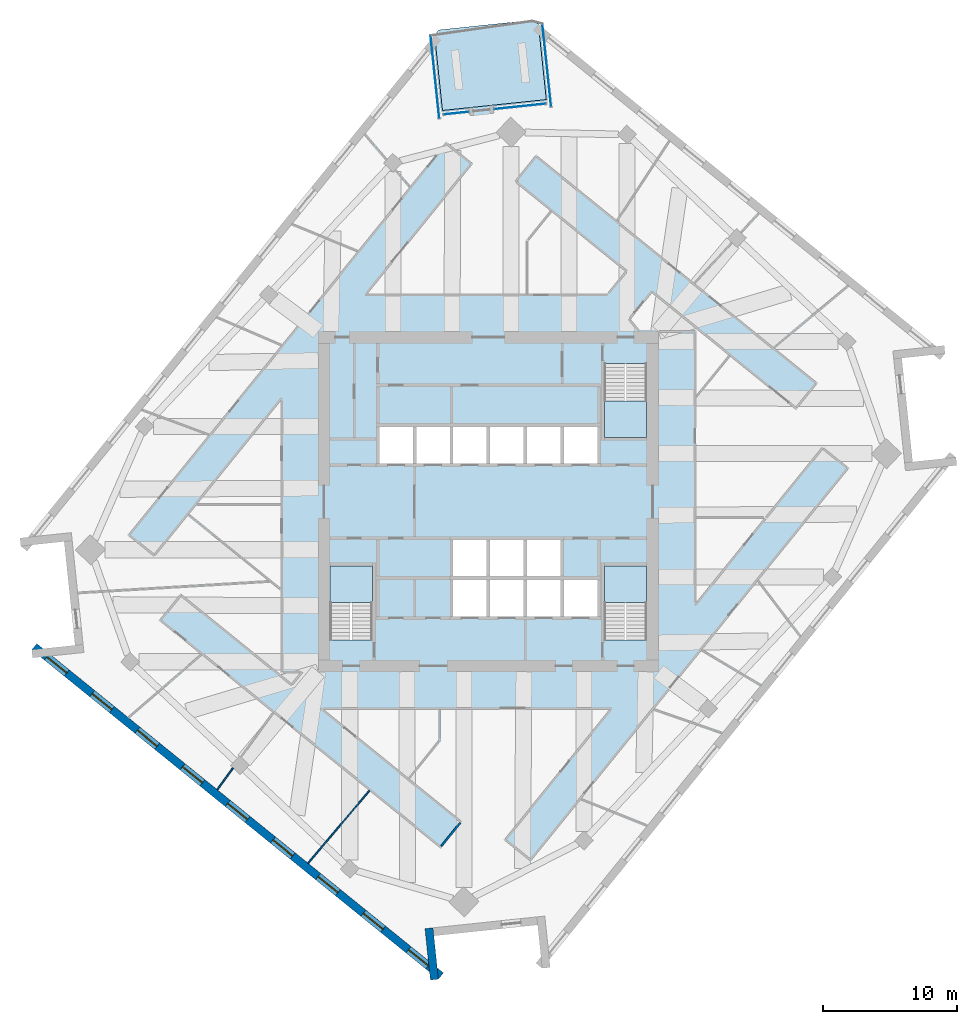
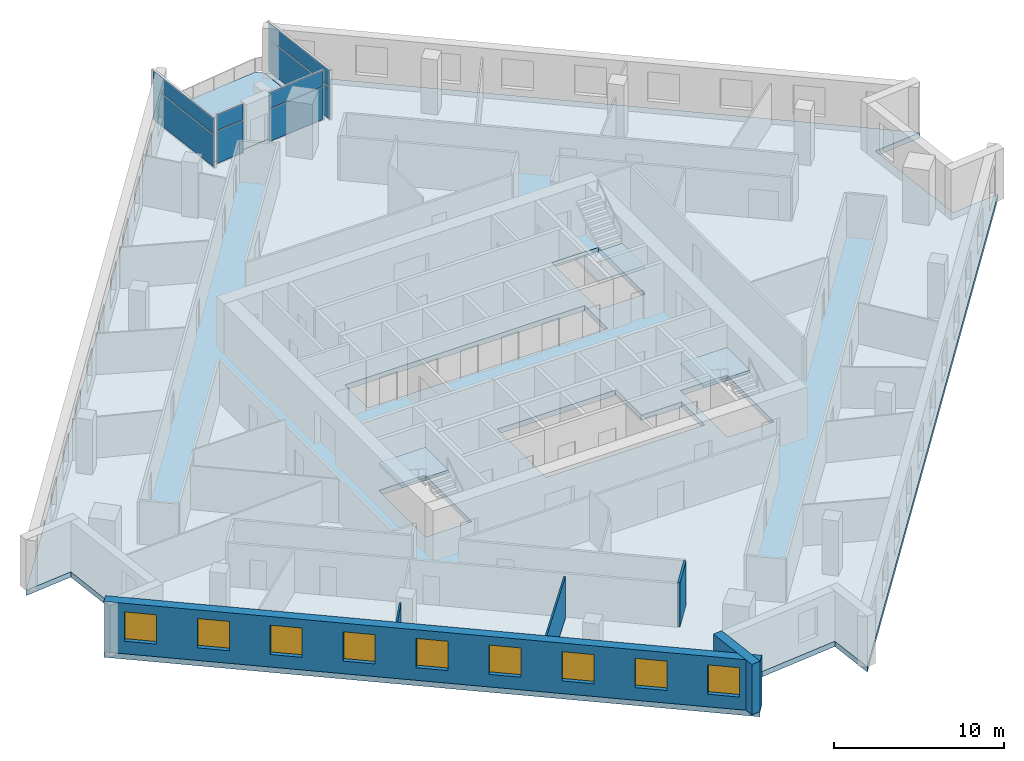
# One storey, part 6 of 14: 9 windows, 8 plates, 5 slabs, 5 walls, 9 openings, 7 elements without a shape of their own.
"""IFC4 building model written with IfcOpenShell, lengths in metres."""

from ifc_helpers import new_model, si_unit, direction, frame, frame_2d, origin, origin_2d, place, context, subcontext, project, spatial, polyline, rectangle, outline, extrude, material, layer, layer_set, type_object, element, fill, aggregate, save


model = new_model("IFC4")

# Units and contexts
model_context = context("Model", 3, precision=1e-05, world=origin(), true_north=direction((0.0, 1.0)))
body_context = subcontext(model_context, "Body", "Model", "MODEL_VIEW")
ifc_project = project(units=[si_unit("LENGTHUNIT", "METRE"), si_unit("AREAUNIT", "SQUARE_METRE"), si_unit("VOLUMEUNIT", "CUBIC_METRE"), si_unit("PLANEANGLEUNIT", "RADIAN"), si_unit("MASSUNIT", "GRAM", prefix="KILO")], contexts=[model_context])

# Site, building, storey
site_placement = place(None, origin())
site = spatial("IfcSite", under=ifc_project, at=site_placement, CompositionType="ELEMENT")
building_placement = place(site_placement, origin())
building = spatial("IfcBuilding", under=site, at=building_placement, Name="Dilmun Exchange Tower", CompositionType="ELEMENT")
storey_placement = place(building_placement, frame((0.0, 0.0, 233.300048828125)))
storey = spatial("IfcBuildingStorey", under=building, at=storey_placement, Name="L55", CompositionType="ELEMENT", Elevation=233.300048828125)

# Stair, slab
ifc_material_1 = material(Name="Concrete C40/50", Category="concrete")
stair_type = type_object("IfcStairType", Name="Exit stair 1500 half-turn", PredefinedType="HALF_TURN_STAIR", material=ifc_material_1)
stair_1_placement = place(storey_placement, origin())
stair_1 = element("IfcStair", 1, at=stair_1_placement, inside=storey, type_object=stair_type, Name="L55 Protected exit stair ST1", PredefinedType="HALF_TURN_STAIR")
ifc_layer_1 = layer(ifc_material_1, 0.199951171875)
ifc_layer_set_1 = layer_set([ifc_layer_1], Name="Concrete C40/50")
slab_type_1 = type_object("IfcSlabType", Name="Exit stair landing 200", PredefinedType="LANDING", material=ifc_layer_set_1)
slab_1_placement = place(storey_placement, frame((0.0, 0.0, 1.800048828125)))
slab_1 = element("IfcSlab", 2, at=slab_1_placement, type_object=slab_type_1, Name="ST1 landing 1", PredefinedType="LANDING", context=body_context, shape_type="SweptSolid", body=[
    extrude(outline(polyline([(8.64990234375, 7.5), (8.64990234375, 4.800048828125), (11.800048828125, 4.800048828125), (11.800048828125, 7.5), (8.64990234375, 7.5)])), origin(), (0.0, 0.0, 1.0), 0.199951171875),
])
aggregate(stair_1, [slab_1])

stair_2_placement = place(storey_placement, origin())
stair_2 = element("IfcStair", 3, at=stair_2_placement, inside=storey, type_object=stair_type, Name="L55 Protected exit stair ST2", PredefinedType="HALF_TURN_STAIR")
slab_2_placement = place(storey_placement, frame((0.0, 0.0, 1.800048828125)))
slab_2 = element("IfcSlab", 4, at=slab_2_placement, type_object=slab_type_1, Name="ST2 landing 1", PredefinedType="LANDING", context=body_context, shape_type="SweptSolid", body=[
    extrude(outline(polyline([(-8.64990234375, -7.5), (-8.64990234375, -4.800048828125), (-11.800048828125, -4.800048828125), (-11.800048828125, -7.5), (-8.64990234375, -7.5)])), origin(), (0.0, 0.0, 1.0), 0.199951171875),
])
aggregate(stair_2, [slab_2])

stair_3_placement = place(storey_placement, origin())
stair_3 = element("IfcStair", 5, at=stair_3_placement, inside=storey, type_object=stair_type, Name="L55 Protected exit stair ST3", PredefinedType="HALF_TURN_STAIR")
slab_3_placement = place(storey_placement, frame((0.0, 0.0, 1.800048828125)))
slab_3 = element("IfcSlab", 6, at=slab_3_placement, type_object=slab_type_1, Name="ST3 landing 1", PredefinedType="LANDING", context=body_context, shape_type="SweptSolid", body=[
    extrude(outline(polyline([(11.800048828125, -7.5), (11.800048828125, -4.800048828125), (8.64990234375, -4.800048828125), (8.64990234375, -7.5), (11.800048828125, -7.5)])), origin(), (0.0, 0.0, 1.0), 0.199951171875),
])
aggregate(stair_3, [slab_3])

# Curtain wall, plates
ifc_material_2 = material(Name="Anodised aluminium and clear glass", Category="aluminium")
curtain_wall_type = type_object("IfcCurtainWallType", Name="Garden corner glazing", PredefinedType="NOTDEFINED", material=ifc_material_2)
curtain_wall_1_placement = place(storey_placement, origin())
curtain_wall_1 = element("IfcCurtainWall", 7, at=curtain_wall_1_placement, inside=storey, type_object=curtain_wall_type, Name="Garden corner glazing run GC1.1", PredefinedType="NOTDEFINED")
ifc_material_3 = material(Name="Clear glass", Category="glass")
ifc_layer_2 = layer(ifc_material_3, 0.028076171875)
ifc_layer_set_2 = layer_set([ifc_layer_2], Name="Clear glass")
plate_type = type_object("IfcPlateType", Name="Garden corner glazing glass panel 28", PredefinedType="CURTAIN_PANEL", material=ifc_layer_set_2)
plate_1_placement = place(storey_placement, frame((4.35009765625, 32.511474609375, 0.059814453125), z_axis=(0.0, 0.0, 1.0), x_axis=(0.104539779931, -0.994520705874, 0.0)))
plate_1 = element("IfcPlate", 8, at=plate_1_placement, type_object=plate_type, Name="GC1.1 panel 1.1", PredefinedType="CURTAIN_PANEL", context=body_context, shape_type="SweptSolid", body=[
    extrude(rectangle(XDim=6.12646484375, YDim=0.028076171875, at=origin_2d()), origin(), (0.0, 0.0, 1.0), 2.31005859375),
])
plate_2_placement = place(storey_placement, frame((4.35009765625, 32.511474609375, 2.429931640625), z_axis=(0.0, 0.0, 1.0), x_axis=(0.104539779931, -0.994520705874, 0.0)))
plate_2 = element("IfcPlate", 9, at=plate_2_placement, type_object=plate_type, Name="GC1.1 panel 1.2", PredefinedType="CURTAIN_PANEL", context=body_context, shape_type="SweptSolid", body=[
    extrude(rectangle(XDim=6.12646484375, YDim=0.028076171875, at=origin_2d()), origin(), (0.0, 0.0, 1.0), 1.1298828125),
])
aggregate(curtain_wall_1, [plate_1, plate_2])

curtain_wall_2_placement = place(storey_placement, origin())
curtain_wall_2 = element("IfcCurtainWall", 10, at=curtain_wall_2_placement, inside=storey, type_object=curtain_wall_type, Name="Garden corner glazing run GC2.1", PredefinedType="NOTDEFINED")
plate_3_placement = place(storey_placement, frame((2.36328125, 29.4638671875, 0.059814453125), z_axis=(0.0, 0.0, 1.0), x_axis=(-0.994521101078, -0.104536020157, 0.0)))
plate_3 = element("IfcPlate", 11, at=plate_3_placement, type_object=plate_type, Name="GC2.1 panel 1.1", PredefinedType="CURTAIN_PANEL", context=body_context, shape_type="SweptSolid", body=[
    extrude(rectangle(XDim=3.869140625, YDim=0.028076171875, at=origin_2d()), origin(), (0.0, 0.0, 1.0), 2.31005859375),
])
plate_4_placement = place(storey_placement, frame((2.36328125, 29.4638671875, 2.429931640625), z_axis=(0.0, 0.0, 1.0), x_axis=(-0.994521101078, -0.104536020157, 0.0)))
plate_4 = element("IfcPlate", 12, at=plate_4_placement, type_object=plate_type, Name="GC2.1 panel 1.2", PredefinedType="CURTAIN_PANEL", context=body_context, shape_type="SweptSolid", body=[
    extrude(rectangle(XDim=3.869140625, YDim=0.028076171875, at=origin_2d()), origin(), (0.0, 0.0, 1.0), 1.1298828125),
])
aggregate(curtain_wall_2, [plate_3, plate_4])

curtain_wall_3_placement = place(storey_placement, origin())
curtain_wall_3 = element("IfcCurtainWall", 13, at=curtain_wall_3_placement, inside=storey, type_object=curtain_wall_type, Name="Garden corner glazing run GC2.3", PredefinedType="NOTDEFINED")
plate_5_placement = place(storey_placement, frame((-2.399658203125, 28.963134765625, 0.059814453125), z_axis=(0.0, 0.0, 1.0), x_axis=(-0.99452279416, -0.104519911481, 0.0)))
plate_5 = element("IfcPlate", 14, at=plate_5_placement, type_object=plate_type, Name="GC2.3 panel 1.1", PredefinedType="CURTAIN_PANEL", context=body_context, shape_type="SweptSolid", body=[
    extrude(rectangle(XDim=1.869140625, YDim=0.028076171875, at=origin_2d()), origin(), (0.0, 0.0, 1.0), 2.31005859375),
])
plate_6_placement = place(storey_placement, frame((-2.399658203125, 28.963134765625, 2.429931640625), z_axis=(0.0, 0.0, 1.0), x_axis=(-0.99452279416, -0.104519911481, 0.0)))
plate_6 = element("IfcPlate", 15, at=plate_6_placement, type_object=plate_type, Name="GC2.3 panel 1.2", PredefinedType="CURTAIN_PANEL", context=body_context, shape_type="SweptSolid", body=[
    extrude(rectangle(XDim=1.869140625, YDim=0.028076171875, at=origin_2d()), origin(), (0.0, 0.0, 1.0), 1.1298828125),
])
aggregate(curtain_wall_3, [plate_5, plate_6])

curtain_wall_4_placement = place(storey_placement, origin())
curtain_wall_4 = element("IfcCurtainWall", 16, at=curtain_wall_4_placement, inside=storey, type_object=curtain_wall_type, Name="Garden corner glazing run GC3.1", PredefinedType="NOTDEFINED")
plate_7_placement = place(storey_placement, frame((-3.982177734375, 31.635498046875, 0.059814453125), z_axis=(0.0, 0.0, 1.0), x_axis=(-0.104539779931, 0.994520705874, 0.0)))
plate_7 = element("IfcPlate", 17, at=plate_7_placement, type_object=plate_type, Name="GC3.1 panel 1.1", PredefinedType="CURTAIN_PANEL", context=body_context, shape_type="SweptSolid", body=[
    extrude(rectangle(XDim=6.12646484375, YDim=0.028076171875, at=origin_2d()), origin(), (0.0, 0.0, 1.0), 2.31005859375),
])
plate_8_placement = place(storey_placement, frame((-3.982177734375, 31.635498046875, 2.429931640625), z_axis=(0.0, 0.0, 1.0), x_axis=(-0.104539779931, 0.994520705874, 0.0)))
plate_8 = element("IfcPlate", 18, at=plate_8_placement, type_object=plate_type, Name="GC3.1 panel 1.2", PredefinedType="CURTAIN_PANEL", context=body_context, shape_type="SweptSolid", body=[
    extrude(rectangle(XDim=6.12646484375, YDim=0.028076171875, at=origin_2d()), origin(), (0.0, 0.0, 1.0), 1.1298828125),
])
aggregate(curtain_wall_4, [plate_7, plate_8])

# Slabs
ifc_layer_3 = layer(ifc_material_1, 0.3798828125)
ifc_layer_set_3 = layer_set([ifc_layer_3], Name="Concrete C40/50")
slab_type_2 = type_object("IfcSlabType", Name="RC floor slab 380", PredefinedType="FLOOR", material=ifc_layer_set_3)
slab_4_placement = place(storey_placement, frame((0.0, 0.0, -0.380126953125)))
element("IfcSlab", 19, at=slab_4_placement, inside=storey, type_object=slab_type_2, Name="Floor slab", PredefinedType="FLOOR", context=body_context, shape_type="SweptSolid", body=[
    extrude(outline(polyline([(30.805419921875, 10.703369140625), (31.618408203125, 2.9677734375), (34.846923828125, 3.30712890625), (4.01025390625, -34.773193359375), (3.6708984375, -31.54443359375), (-4.064697265625, -32.357421875), (-3.725341796875, -35.586181640625), (-34.033935546875, -11.04248046875), (-30.805419921875, -10.703369140625), (-31.618408203125, -2.9677734375), (-34.846923828125, -3.30712890625), (-4.01025390625, 34.773193359375), (-3.420166015625, 29.15771484375), (4.3154296875, 29.970703125), (3.725341796875, 35.586181640625), (34.033935546875, 11.04248046875), (30.805419921875, 10.703369140625)]), holes=[polyline([(-8.64990234375, -4.800048828125), (-11.800048828125, -4.800048828125), (-11.800048828125, -10.294921875), (-8.64990234375, -10.294921875), (-8.64990234375, -4.800048828125)]), polyline([(11.800048828125, -4.800048828125), (8.64990234375, -4.800048828125), (8.64990234375, -10.294921875), (11.800048828125, -10.294921875), (11.800048828125, -4.800048828125)]), polyline([(5.375, -2.85009765625), (-2.625, -2.85009765625), (-2.625, -8.550048828125), (8.125, -8.550048828125), (8.125, -5.85009765625), (5.375, -5.85009765625), (5.375, -2.85009765625)]), polyline([(8.125, 2.85009765625), (8.125, 5.550048828125), (-8.125, 5.550048828125), (-8.125, 2.85009765625), (8.125, 2.85009765625)]), polyline([(8.64990234375, 10.294921875), (8.64990234375, 4.800048828125), (11.800048828125, 4.800048828125), (11.800048828125, 10.294921875), (8.64990234375, 10.294921875)])]), origin(), (0.0, 0.0, 1.0), 0.380126953125),
])
ifc_layer_4 = layer(ifc_material_1, 0.300048828125)
ifc_layer_set_4 = layer_set([ifc_layer_4], Name="Concrete C40/50")
slab_type_3 = type_object("IfcSlabType", Name="RC garden terrace slab 300", PredefinedType="FLOOR", material=ifc_layer_set_4)
slab_5_placement = place(storey_placement, frame((0.0, 0.0, -0.300048828125)))
element("IfcSlab", 20, at=slab_5_placement, inside=storey, type_object=slab_type_3, Name="Garden terrace slab", PredefinedType="FLOOR", context=body_context, shape_type="SweptSolid", body=[
    extrude(outline(polyline([(-3.420166015625, 29.15771484375), (-4.01025390625, 34.773193359375), (-3.695556640625, 35.16162109375), (3.336669921875, 35.90087890625), (3.725341796875, 35.586181640625), (4.3154296875, 29.970703125), (-3.420166015625, 29.15771484375)])), origin(), (0.0, 0.0, 1.0), 0.300048828125),
])

# Walls
ifc_material_4 = material(Name="Corridor wall 150")
ifc_layer_5 = layer(ifc_material_4, 0.14990234375)
ifc_layer_set_5 = layer_set([ifc_layer_5], Name="Corridor wall 150")
wall_type_1 = type_object("IfcWallType", Name="Corridor wall 150", PredefinedType="PARTITIONING", material=ifc_layer_set_5)
wall_1_placement = place(storey_placement, frame((-3.5107421875, -25.6767578125, 0.0), z_axis=(0.0, 0.0, 1.0), x_axis=(0.629260625875, 0.777194354536, 0.0)))
element("IfcWall", 21, at=wall_1_placement, inside=storey, type_object=wall_type_1, Name="Corridor wall", PredefinedType="PARTITIONING", context=body_context, shape_type="SweptSolid", body=[
    extrude(rectangle(XDim=2.2509765625, YDim=0.14990234375, at=frame_2d((1.12548828125, 0.0))), origin(), (0.0, 0.0, 1.0), 3.169921875),
])
ifc_material_5 = material(Name="Partition 100")
ifc_layer_6 = layer(ifc_material_5, 0.10009765625)
ifc_layer_set_6 = layer_set([ifc_layer_6], Name="Partition 100")
wall_type_2 = type_object("IfcWallType", Name="Partition 100", PredefinedType="PARTITIONING", material=ifc_layer_set_6)
wall_2_placement = place(storey_placement, frame((-20.20849609375, -21.463623046875, 0.0), z_axis=(0.0, 0.0, 1.0), x_axis=(0.588273501318, 0.808662035492, 0.0)))
element("IfcWall", 22, at=wall_2_placement, inside=storey, type_object=wall_type_2, Name="Partition", PredefinedType="PARTITIONING", context=body_context, shape_type="SweptSolid", body=[
    extrude(rectangle(XDim=1.99609375, YDim=0.10009765625, at=frame_2d((0.998046875, 0.0))), origin(), (0.0, 0.0, 1.0), 3.619873046875),
])
wall_3_placement = place(storey_placement, frame((-13.439208984375, -26.9453125, 0.0), z_axis=(0.0, 0.0, 1.0), x_axis=(0.645645597662, 0.763637192795, 0.0)))
element("IfcWall", 23, at=wall_3_placement, inside=storey, type_object=wall_type_2, Name="Partition", PredefinedType="PARTITIONING", context=body_context, shape_type="SweptSolid", body=[
    extrude(rectangle(XDim=7.084716796875, YDim=0.10009765625, at=frame_2d((3.54248046875, 0.0))), origin(), (0.0, 0.0, 1.0), 2.969970703125),
])

# Wall, openings, windows
ifc_material_6 = material(Name="Precast concrete C50/60", Category="concrete")
ifc_layer_7 = layer(ifc_material_6, 0.60009765625)
ifc_layer_set_7 = layer_set([ifc_layer_7], Name="Precast concrete C50/60")
wall_type_3 = type_object("IfcWallType", Name="Precast stone-clad wall 600", PredefinedType="STANDARD", material=ifc_layer_set_7)
wall_4_placement = place(storey_placement, frame((-33.84521484375, -10.8095703125, 0.0), z_axis=(0.0, 0.0, 1.0), x_axis=(0.777145437972, -0.629321037499, 0.0)))
wall_4 = element("IfcWall", 24, at=wall_4_placement, inside=storey, type_object=wall_type_3, Name="Facade wall L55-07", PredefinedType="STANDARD", context=body_context, shape_type="SweptSolid", body=[
    extrude(rectangle(XDim=39.0, YDim=0.60009765625, at=frame_2d((19.5, 0.0))), origin(), (0.0, 0.0, 1.0), 3.619873046875),
])
opening_1_placement = place(wall_4_placement, frame((1.216796875, 0.0, 0.89990234375)))
opening_1 = element("IfcOpeningElement", 25, at=opening_1_placement, cuts=wall_4, Name="Opening W190-210", PredefinedType="OPENING", context=body_context, shape_type="SweptSolid", body=[
    extrude(rectangle(XDim=1.89990234375, YDim=2.10009765625, at=frame_2d((0.949951171875, 1.050048828125))), frame((0.0, 0.31005859375, 0.0), z_axis=(0.0, -1.0, 0.0), x_axis=(1.0, 0.0, 0.0)), (0.0, 0.0, 1.0), 0.6201171875),
])
opening_2_placement = place(wall_4_placement, frame((5.550048828125, 0.0, 0.89990234375)))
opening_2 = element("IfcOpeningElement", 26, at=opening_2_placement, cuts=wall_4, Name="Opening W190-210", PredefinedType="OPENING", context=body_context, shape_type="SweptSolid", body=[
    extrude(rectangle(XDim=1.89990234375, YDim=2.10009765625, at=frame_2d((0.949951171875, 1.050048828125))), frame((0.0, 0.31005859375, 0.0), z_axis=(0.0, -1.0, 0.0), x_axis=(1.0, 0.0, 0.0)), (0.0, 0.0, 1.0), 0.6201171875),
])
opening_3_placement = place(wall_4_placement, frame((9.88330078125, 0.0, 0.89990234375)))
opening_3 = element("IfcOpeningElement", 27, at=opening_3_placement, cuts=wall_4, Name="Opening W190-210", PredefinedType="OPENING", context=body_context, shape_type="SweptSolid", body=[
    extrude(rectangle(XDim=1.89990234375, YDim=2.10009765625, at=frame_2d((0.949951171875, 1.050048828125))), frame((0.0, 0.31005859375, 0.0), z_axis=(0.0, -1.0, 0.0), x_axis=(1.0, 0.0, 0.0)), (0.0, 0.0, 1.0), 0.6201171875),
])
opening_4_placement = place(wall_4_placement, frame((14.216796875, 0.0, 0.89990234375)))
opening_4 = element("IfcOpeningElement", 28, at=opening_4_placement, cuts=wall_4, Name="Opening W190-210", PredefinedType="OPENING", context=body_context, shape_type="SweptSolid", body=[
    extrude(rectangle(XDim=1.89990234375, YDim=2.10009765625, at=frame_2d((0.949951171875, 1.050048828125))), frame((0.0, 0.31005859375, 0.0), z_axis=(0.0, -1.0, 0.0), x_axis=(1.0, 0.0, 0.0)), (0.0, 0.0, 1.0), 0.6201171875),
])
opening_5_placement = place(wall_4_placement, frame((18.550048828125, 0.0, 0.89990234375)))
opening_5 = element("IfcOpeningElement", 29, at=opening_5_placement, cuts=wall_4, Name="Opening W190-210", PredefinedType="OPENING", context=body_context, shape_type="SweptSolid", body=[
    extrude(rectangle(XDim=1.89990234375, YDim=2.10009765625, at=frame_2d((0.949951171875, 1.050048828125))), frame((0.0, 0.31005859375, 0.0), z_axis=(0.0, -1.0, 0.0), x_axis=(1.0, 0.0, 0.0)), (0.0, 0.0, 1.0), 0.6201171875),
])
opening_6_placement = place(wall_4_placement, frame((22.88330078125, 0.0, 0.89990234375)))
opening_6 = element("IfcOpeningElement", 30, at=opening_6_placement, cuts=wall_4, Name="Opening W190-210", PredefinedType="OPENING", context=body_context, shape_type="SweptSolid", body=[
    extrude(rectangle(XDim=1.89990234375, YDim=2.10009765625, at=frame_2d((0.949951171875, 1.050048828125))), frame((0.0, 0.31005859375, 0.0), z_axis=(0.0, -1.0, 0.0), x_axis=(1.0, 0.0, 0.0)), (0.0, 0.0, 1.0), 0.6201171875),
])
opening_7_placement = place(wall_4_placement, frame((27.216796875, 0.0, 0.89990234375)))
opening_7 = element("IfcOpeningElement", 31, at=opening_7_placement, cuts=wall_4, Name="Opening W190-210", PredefinedType="OPENING", context=body_context, shape_type="SweptSolid", body=[
    extrude(rectangle(XDim=1.89990234375, YDim=2.10009765625, at=frame_2d((0.949951171875, 1.050048828125))), frame((0.0, 0.31005859375, 0.0), z_axis=(0.0, -1.0, 0.0), x_axis=(1.0, 0.0, 0.0)), (0.0, 0.0, 1.0), 0.6201171875),
])
opening_8_placement = place(wall_4_placement, frame((31.550048828125, 0.0, 0.89990234375)))
opening_8 = element("IfcOpeningElement", 32, at=opening_8_placement, cuts=wall_4, Name="Opening W190-210", PredefinedType="OPENING", context=body_context, shape_type="SweptSolid", body=[
    extrude(rectangle(XDim=1.89990234375, YDim=2.10009765625, at=frame_2d((0.949951171875, 1.050048828125))), frame((0.0, 0.31005859375, 0.0), z_axis=(0.0, -1.0, 0.0), x_axis=(1.0, 0.0, 0.0)), (0.0, 0.0, 1.0), 0.6201171875),
])
opening_9_placement = place(wall_4_placement, frame((35.88330078125, 0.0, 0.89990234375)))
opening_9 = element("IfcOpeningElement", 33, at=opening_9_placement, cuts=wall_4, Name="Opening W190-210", PredefinedType="OPENING", context=body_context, shape_type="SweptSolid", body=[
    extrude(rectangle(XDim=1.89990234375, YDim=2.10009765625, at=frame_2d((0.949951171875, 1.050048828125))), frame((0.0, 0.31005859375, 0.0), z_axis=(0.0, -1.0, 0.0), x_axis=(1.0, 0.0, 0.0)), (0.0, 0.0, 1.0), 0.6201171875),
])
ifc_material_7 = material(Name="Clear low-emissivity glass in aluminium frame", Category="aluminium")
window_type = type_object("IfcWindowType", Name="Punched window 1900 x 2100", PartitioningType="DOUBLE_PANEL_VERTICAL", PredefinedType="WINDOW", material=ifc_material_7)
window_1_placement = place(opening_1_placement, origin())
window_1 = element("IfcWindow", 34, at=window_1_placement, inside=storey, type_object=window_type, Name="Window 8.1", OverallHeight=2.10009765625, OverallWidth=1.89990234375, PartitioningType="SINGLE_PANEL", PredefinedType="WINDOW", context=body_context, shape_type="SweptSolid", body=[
    extrude(rectangle(XDim=1.89990234375, YDim=2.10009765625, at=frame_2d((0.949951171875, 1.050048828125))), frame((0.0, 0.030029296875, 0.0), z_axis=(0.0, -1.0, 0.0), x_axis=(1.0, 0.0, 0.0)), (0.0, 0.0, 1.0), 0.06005859375),
])
fill(opening_1, window_1)
window_2_placement = place(opening_2_placement, origin())
window_2 = element("IfcWindow", 35, at=window_2_placement, inside=storey, type_object=window_type, Name="Window 8.2", OverallHeight=2.10009765625, OverallWidth=1.89990234375, PartitioningType="SINGLE_PANEL", PredefinedType="WINDOW", context=body_context, shape_type="SweptSolid", body=[
    extrude(rectangle(XDim=1.89990234375, YDim=2.10009765625, at=frame_2d((0.949951171875, 1.050048828125))), frame((0.0, 0.030029296875, 0.0), z_axis=(0.0, -1.0, 0.0), x_axis=(1.0, 0.0, 0.0)), (0.0, 0.0, 1.0), 0.06005859375),
])
fill(opening_2, window_2)
window_3_placement = place(opening_3_placement, origin())
window_3 = element("IfcWindow", 36, at=window_3_placement, inside=storey, type_object=window_type, Name="Window 8.3", OverallHeight=2.10009765625, OverallWidth=1.89990234375, PartitioningType="SINGLE_PANEL", PredefinedType="WINDOW", context=body_context, shape_type="SweptSolid", body=[
    extrude(rectangle(XDim=1.89990234375, YDim=2.10009765625, at=frame_2d((0.949951171875, 1.050048828125))), frame((0.0, 0.030029296875, 0.0), z_axis=(0.0, -1.0, 0.0), x_axis=(1.0, 0.0, 0.0)), (0.0, 0.0, 1.0), 0.06005859375),
])
fill(opening_3, window_3)
window_4_placement = place(opening_4_placement, origin())
window_4 = element("IfcWindow", 37, at=window_4_placement, inside=storey, type_object=window_type, Name="Window 8.4", OverallHeight=2.10009765625, OverallWidth=1.89990234375, PartitioningType="SINGLE_PANEL", PredefinedType="WINDOW", context=body_context, shape_type="SweptSolid", body=[
    extrude(rectangle(XDim=1.89990234375, YDim=2.10009765625, at=frame_2d((0.949951171875, 1.050048828125))), frame((0.0, 0.030029296875, 0.0), z_axis=(0.0, -1.0, 0.0), x_axis=(1.0, 0.0, 0.0)), (0.0, 0.0, 1.0), 0.06005859375),
])
fill(opening_4, window_4)
window_5_placement = place(opening_5_placement, origin())
window_5 = element("IfcWindow", 38, at=window_5_placement, inside=storey, type_object=window_type, Name="Window 8.5", OverallHeight=2.10009765625, OverallWidth=1.89990234375, PartitioningType="SINGLE_PANEL", PredefinedType="WINDOW", context=body_context, shape_type="SweptSolid", body=[
    extrude(rectangle(XDim=1.89990234375, YDim=2.10009765625, at=frame_2d((0.949951171875, 1.050048828125))), frame((0.0, 0.030029296875, 0.0), z_axis=(0.0, -1.0, 0.0), x_axis=(1.0, 0.0, 0.0)), (0.0, 0.0, 1.0), 0.06005859375),
])
fill(opening_5, window_5)
window_6_placement = place(opening_6_placement, origin())
window_6 = element("IfcWindow", 39, at=window_6_placement, inside=storey, type_object=window_type, Name="Window 8.6", OverallHeight=2.10009765625, OverallWidth=1.89990234375, PartitioningType="SINGLE_PANEL", PredefinedType="WINDOW", context=body_context, shape_type="SweptSolid", body=[
    extrude(rectangle(XDim=1.89990234375, YDim=2.10009765625, at=frame_2d((0.949951171875, 1.050048828125))), frame((0.0, 0.030029296875, 0.0), z_axis=(0.0, -1.0, 0.0), x_axis=(1.0, 0.0, 0.0)), (0.0, 0.0, 1.0), 0.06005859375),
])
fill(opening_6, window_6)
window_7_placement = place(opening_7_placement, origin())
window_7 = element("IfcWindow", 40, at=window_7_placement, inside=storey, type_object=window_type, Name="Window 8.7", OverallHeight=2.10009765625, OverallWidth=1.89990234375, PartitioningType="SINGLE_PANEL", PredefinedType="WINDOW", context=body_context, shape_type="SweptSolid", body=[
    extrude(rectangle(XDim=1.89990234375, YDim=2.10009765625, at=frame_2d((0.949951171875, 1.050048828125))), frame((0.0, 0.030029296875, 0.0), z_axis=(0.0, -1.0, 0.0), x_axis=(1.0, 0.0, 0.0)), (0.0, 0.0, 1.0), 0.06005859375),
])
fill(opening_7, window_7)
window_8_placement = place(opening_8_placement, origin())
window_8 = element("IfcWindow", 41, at=window_8_placement, inside=storey, type_object=window_type, Name="Window 8.8", OverallHeight=2.10009765625, OverallWidth=1.89990234375, PartitioningType="SINGLE_PANEL", PredefinedType="WINDOW", context=body_context, shape_type="SweptSolid", body=[
    extrude(rectangle(XDim=1.89990234375, YDim=2.10009765625, at=frame_2d((0.949951171875, 1.050048828125))), frame((0.0, 0.030029296875, 0.0), z_axis=(0.0, -1.0, 0.0), x_axis=(1.0, 0.0, 0.0)), (0.0, 0.0, 1.0), 0.06005859375),
])
fill(opening_8, window_8)
window_9_placement = place(opening_9_placement, origin())
window_9 = element("IfcWindow", 42, at=window_9_placement, inside=storey, type_object=window_type, Name="Window 8.9", OverallHeight=2.10009765625, OverallWidth=1.89990234375, PartitioningType="SINGLE_PANEL", PredefinedType="WINDOW", context=body_context, shape_type="SweptSolid", body=[
    extrude(rectangle(XDim=1.89990234375, YDim=2.10009765625, at=frame_2d((0.949951171875, 1.050048828125))), frame((0.0, 0.030029296875, 0.0), z_axis=(0.0, -1.0, 0.0), x_axis=(1.0, 0.0, 0.0)), (0.0, 0.0, 1.0), 0.06005859375),
])
fill(opening_9, window_9)

# Wall
wall_5_placement = place(storey_placement, frame((-4.023681640625, -35.617431640625, 0.0), z_axis=(0.0, 0.0, 1.0), x_axis=(-0.104536105602, 0.994521092097, 0.0)))
element("IfcWall", 43, at=wall_5_placement, inside=storey, type_object=wall_type_3, Name="Facade wall L55-08", PredefinedType="STANDARD", context=body_context, shape_type="SweptSolid", body=[
    extrude(rectangle(XDim=3.846435546875, YDim=0.60009765625, at=frame_2d((1.92333984375, 0.0))), origin(), (0.0, 0.0, 1.0), 3.619873046875),
])

save(model, "model.ifc")
